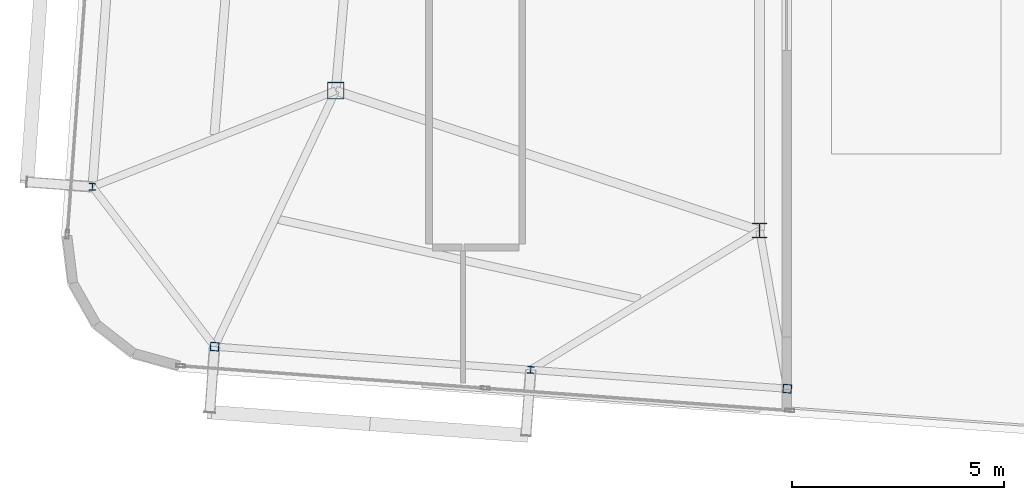
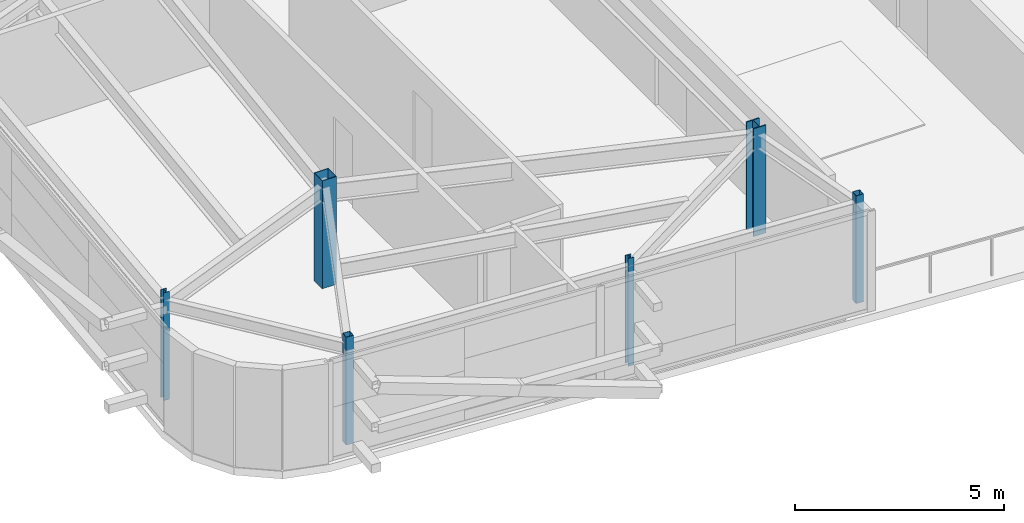
# One storey, part 1 of 36: 6 columns.
"""IFC4 building model written with IfcOpenShell, lengths in metres."""

import ifcopenshell
import ifcopenshell.guid

model = None  # the IFC model being written
_history = None  # IfcOwnerHistory: only IFC2X3 demands one
_inside = {}  # id of a spatial element -> (the spatial element, [elements in it])
_under = {}  # id of a project, library or spatial element -> (it, [spatial elements below it])
_declared = {}  # id of a project -> (the project, [libraries it declares])
_typed = {}  # id of a type object -> (the type object, [elements of that type])
_made_of = {}  # id of a material, layer set ... -> (it, [elements and type objects made of it])


def new_model(schema):
    """Start an empty IFC model of exactly this schema.

    Asked for "IFC4X3", IfcOpenShell would pick the latest addendum, in which some entities
    have other attributes; the version numbers below select the first issue.
    IFC2X3 requires an IfcOwnerHistory on every rooted entity: one is made here for all.
    """
    global model, _history
    if schema == "IFC4X3":
        model = ifcopenshell.file(schema_version=(4, 3, 0, 0))
    else:
        model = ifcopenshell.file(schema=schema)
    _inside.clear()
    _under.clear()
    _declared.clear()
    _typed.clear()
    _made_of.clear()
    _history = None
    if model.schema == "IFC2X3":
        org = make("IfcOrganization", Name="unknown")
        user = make(
            "IfcPersonAndOrganization",
            ThePerson=make("IfcPerson", FamilyName="unknown"),
            TheOrganization=org,
        )
        app = make(
            "IfcApplication",
            ApplicationDeveloper=org,
            Version="unknown",
            ApplicationFullName="unknown",
            ApplicationIdentifier="unknown",
        )
        _history = make(
            "IfcOwnerHistory",
            OwningUser=user,
            OwningApplication=app,
            ChangeAction="ADDED",
            CreationDate=0,
        )
    return model


def make(cls, **values):
    """One entity of the class cls with the attributes given. An attribute that is None is left unset."""
    return model.create_entity(
        cls, **{name: value for name, value in values.items() if value is not None}
    )


def rooted(cls, **values):
    """An entity with a GlobalId (a new one), such as an element, a storey or a relation."""
    return make(cls, GlobalId=ifcopenshell.guid.new(), OwnerHistory=_history, **values)


def si_unit(unit_type, name, prefix=None):
    """IfcSIUnit, for example si_unit("LENGTHUNIT", "METRE", prefix="MILLI")."""
    return make("IfcSIUnit", UnitType=unit_type, Prefix=prefix, Name=name)


def assignment(units):
    """IfcUnitAssignment: the units of a project."""
    return None if units is None else make("IfcUnitAssignment", Units=units)


def point(xyz):
    """IfcCartesianPoint."""
    return None if xyz is None else make("IfcCartesianPoint", Coordinates=xyz)


def direction(xyz):
    """IfcDirection."""
    return None if xyz is None else make("IfcDirection", DirectionRatios=xyz)


def frame(location, z_axis=None, x_axis=None):
    """IfcAxis2Placement3D, a coordinate frame: its origin and axes. An axis left out is left unset."""
    return make(
        "IfcAxis2Placement3D",
        Location=point(location),
        Axis=direction(z_axis),
        RefDirection=direction(x_axis),
    )


def frame_2d(location, x_axis=None):
    """IfcAxis2Placement2D, a coordinate frame in the plane: its origin and x axis."""
    return make(
        "IfcAxis2Placement2D", Location=point(location), RefDirection=direction(x_axis)
    )


def origin():
    """The frame at (0, 0, 0) with its axes left unset."""
    return frame((0.0, 0.0, 0.0))


def origin_2d():
    """The frame at (0, 0) in the plane with its x axis left unset."""
    return frame_2d((0.0, 0.0))


def place(relative_to, where):
    """IfcLocalPlacement: puts the frame where relative to a parent placement (None: the world)."""
    return make(
        "IfcLocalPlacement", PlacementRelTo=relative_to, RelativePlacement=where
    )


def context(
    kind, dimensions, precision=None, world=None, true_north=None, identifier=None
):
    """IfcGeometricRepresentationContext, for example the 3D "Model" context."""
    return make(
        "IfcGeometricRepresentationContext",
        ContextIdentifier=identifier,
        ContextType=kind,
        CoordinateSpaceDimension=dimensions,
        Precision=precision,
        WorldCoordinateSystem=world,
        TrueNorth=true_north,
    )


def subcontext(parent, identifier, kind, view, scale=None):
    """IfcGeometricRepresentationSubContext, for example "Body" below "Model"."""
    return make(
        "IfcGeometricRepresentationSubContext",
        ContextIdentifier=identifier,
        ContextType=kind,
        ParentContext=parent,
        TargetScale=scale,
        TargetView=view,
    )


def project(units=None, contexts=None):
    """IfcProject with its units and contexts."""
    return rooted(
        "IfcProject",
        Name="project",
        RepresentationContexts=contexts,
        UnitsInContext=assignment(units),
    )


def spatial(cls, under=None, at=None, **own):
    """A site, building, storey or space (cls), placed at a placement, below another one or the project."""
    s = rooted(cls, ObjectPlacement=at, **own)
    if under is not None:
        _under.setdefault(under.id(), (under, []))[1].append(s)
    return s


def profile(cls, at=None, kind="AREA", **sizes):
    """A parametric profile (cls). Its sizes go by their IFC names, for example OverallWidth=200.0."""
    return make(cls, ProfileType=kind, Position=at, **sizes)


def hollow_rectangle(**sizes):
    """IfcRectangleHollowProfileDef."""
    return profile("IfcRectangleHollowProfileDef", **sizes)


def i_section(**sizes):
    """IfcIShapeProfileDef."""
    return profile("IfcIShapeProfileDef", **sizes)


def extrude(swept, where, along, depth):
    """IfcExtrudedAreaSolid: the profile swept, set in the frame where, extruded along a direction by depth."""
    return make(
        "IfcExtrudedAreaSolid",
        SweptArea=swept,
        Position=where,
        ExtrudedDirection=direction(along),
        Depth=depth,
    )


def shape(context_of_items, identifier, shape_type, items):
    """IfcShapeRepresentation: the items that make up one representation, for example the "Body"."""
    return make(
        "IfcShapeRepresentation",
        ContextOfItems=context_of_items,
        RepresentationIdentifier=identifier,
        RepresentationType=shape_type,
        Items=items,
    )


def source(mapping_origin, context_of_items, identifier, shape_type, items):
    """IfcRepresentationMap: a shape defined once, which mapped items show again and again."""
    return make(
        "IfcRepresentationMap",
        MappingOrigin=mapping_origin,
        MappedRepresentation=shape(context_of_items, identifier, shape_type, items),
    )


def transform(
    local_origin,
    x_axis=None,
    y_axis=None,
    z_axis=None,
    scale=None,
    scale2=None,
    scale3=None,
    uniform=True,
):
    """IfcCartesianTransformationOperator3D, or its non-uniform kind. x_axis, y_axis, z_axis: its Axis1, 2, 3."""
    if uniform:
        return make(
            "IfcCartesianTransformationOperator3D",
            Axis1=direction(x_axis),
            Axis2=direction(y_axis),
            LocalOrigin=point(local_origin),
            Scale=scale,
            Axis3=direction(z_axis),
        )
    return make(
        "IfcCartesianTransformationOperator3DnonUniform",
        Axis1=direction(x_axis),
        Axis2=direction(y_axis),
        LocalOrigin=point(local_origin),
        Scale=scale,
        Axis3=direction(z_axis),
        Scale2=scale2,
        Scale3=scale3,
    )


def mapped(mapping_source, mapping_target):
    """IfcMappedItem: shows the shape of a source again, moved by a transform."""
    return make(
        "IfcMappedItem", MappingSource=mapping_source, MappingTarget=mapping_target
    )


def material(Name=None, Category=None):
    """IfcMaterial."""
    return make("IfcMaterial", Name=Name, Category=Category)


def material_profile(
    of_material, cross_section, Name=None, Category=None, Priority=None
):
    """IfcMaterialProfile: a cross section and its material."""
    return make(
        "IfcMaterialProfile",
        Name=Name,
        Material=of_material,
        Profile=cross_section,
        Priority=Priority,
        Category=Category,
    )


def profile_set(profiles, Name=None, composite=None):
    """IfcMaterialProfileSet."""
    return make(
        "IfcMaterialProfileSet",
        Name=Name,
        MaterialProfiles=profiles,
        CompositeProfile=composite,
    )


def made_of(thing, what):
    """Note that an element or type object is made of a material, layer set ...; save() writes the relation."""
    if what is not None:
        _made_of.setdefault(what.id(), (what, []))[1].append(thing)
    return thing


def type_object(cls, material=None, **own):
    """A type object (cls), such as IfcWallType, which elements share."""
    return made_of(rooted(cls, **own), material)


def element(
    cls,
    number,
    at=None,
    inside=None,
    cuts=None,
    type_object=None,
    material=None,
    context=None,
    identifier="Body",
    shape_type=None,
    held_by="IfcProductDefinitionShape",
    body=None,
    shapes=None,
    **own,
):
    """One element of the class cls, such as IfcWall. Its Tag is "e" and its number.

    at: its placement. inside: the storey or other place that contains it. cuts: it is an
    opening in that element (IfcRelVoidsElement). A single representation is given by context,
    identifier, shape_type and body (its items); several are given by shapes. held_by: the class
    of the entity that holds the representations. save() writes the other relations.
    """
    e = rooted(cls, Tag="e%d" % number, ObjectPlacement=at, **own)
    if body is not None:
        shapes = [shape(context, identifier, shape_type, body)]
    if shapes is not None:
        e.Representation = make(held_by, Representations=shapes)
    if inside is not None:
        _inside.setdefault(inside.id(), (inside, []))[1].append(e)
    if cuts is not None:
        rooted(
            "IfcRelVoidsElement", RelatingBuildingElement=cuts, RelatedOpeningElement=e
        )
    if type_object is not None:
        _typed.setdefault(type_object.id(), (type_object, []))[1].append(e)
    return made_of(e, material)


def aggregate(whole, parts):
    """IfcRelAggregates: a whole, such as a stair, and the parts it consists of."""
    return rooted("IfcRelAggregates", RelatingObject=whole, RelatedObjects=parts)


def save(model, path):
    """Write the relations noted so far, then the file.

    IfcRelAggregates (storeys below a building ...), IfcRelContainedInSpatialStructure (elements
    in a storey), IfcRelDefinesByType, IfcRelAssociatesMaterial and IfcRelDeclares: one each for
    every whole, place, type object, material and project.
    """
    for whole, parts in _under.values():
        aggregate(whole, parts)
    for where, things in _inside.values():
        rooted(
            "IfcRelContainedInSpatialStructure",
            RelatedElements=things,
            RelatingStructure=where,
        )
    for kind, things in _typed.values():
        rooted("IfcRelDefinesByType", RelatedObjects=things, RelatingType=kind)
    for what, things in _made_of.values():
        rooted("IfcRelAssociatesMaterial", RelatedObjects=things, RelatingMaterial=what)
    for by, libraries in _declared.values():
        rooted("IfcRelDeclares", RelatingContext=by, RelatedDefinitions=libraries)
    model.write(path)


model = new_model("IFC4")

# Units and contexts
model_context = context("Model", 3, precision=1e-05, world=origin(), true_north=direction((0.0, 1.0)))
body_context = subcontext(model_context, "Body", "Model", "MODEL_VIEW")
ifc_project = project(units=[si_unit("LENGTHUNIT", "METRE"), si_unit("AREAUNIT", "SQUARE_METRE"), si_unit("VOLUMEUNIT", "CUBIC_METRE"), si_unit("PLANEANGLEUNIT", "RADIAN"), si_unit("MASSUNIT", "GRAM", prefix="KILO")], contexts=[model_context])

# Site, building, storey
site_placement = place(None, origin())
site = spatial("IfcSite", under=ifc_project, at=site_placement, CompositionType="ELEMENT")
building_placement = place(site_placement, origin())
building = spatial("IfcBuilding", under=site, at=building_placement, Name="Taldren Reach Tower", CompositionType="ELEMENT")
storey_placement = place(building_placement, frame((0.0, 0.0, 227.14990234375)))
storey = spatial("IfcBuildingStorey", under=building, at=storey_placement, Name="L69", CompositionType="ELEMENT", Elevation=227.14990234375)

# Columns
ifc_material_1 = material(Name="Steel Gr 350 (350PLUS)", Category="steel")
ifc_material_profile_1 = material_profile(ifc_material_1, i_section(OverallWidth=0.35009765625, OverallDepth=0.35595703125, WebThickness=0.01806640625, FlangeThickness=0.028076171875, at=origin_2d()), Name="350WC197")
ifc_profile_set_1 = profile_set([ifc_material_profile_1], Name="Steel Gr 350 (350PLUS)")
column_type_1 = type_object("IfcColumnType", Name="COL-WC350", PredefinedType="COLUMN", material=ifc_profile_set_1)
shared_shape_1 = source(origin(), body_context, "Body", "SweptSolid", [
    extrude(i_section(OverallWidth=0.35009765625, OverallDepth=0.35595703125, WebThickness=0.01806640625, FlangeThickness=0.028076171875, at=origin_2d()), origin(), (0.0, 0.0, 1.0), 3.150146484375),
])
column_1_placement = place(storey_placement, frame((28.0, 9.199951171875, 0.0), z_axis=(0.0, 0.0, 1.0), x_axis=(1.0, 0.0, 0.0)))
element("IfcColumn", 1, at=column_1_placement, inside=storey, type_object=column_type_1, Name="Mega column MC-PJW L69", PredefinedType="COLUMN", context=body_context, shape_type="MappedRepresentation", body=[
    mapped(shared_shape_1, transform((0.0, 0.0, 0.0), scale=1.0)),
])
ifc_material_2 = material(Name="Steel Gr 450 (C450L0)", Category="steel")
ifc_material_profile_2 = material_profile(ifc_material_2, hollow_rectangle(XDim=0.39990234375, YDim=0.39990234375, WallThickness=0.01611328125, at=origin_2d()), Name="400x400x16.0SHS")
ifc_profile_set_2 = profile_set([ifc_material_profile_2], Name="Steel Gr 450 (C450L0)")
column_type_2 = type_object("IfcColumnType", Name="COL-SHS400", PredefinedType="COLUMN", material=ifc_profile_set_2)
shared_shape_2 = source(origin(), body_context, "Body", "SweptSolid", [
    extrude(hollow_rectangle(XDim=0.39990234375, YDim=0.39990234375, WallThickness=0.01611328125, at=origin_2d()), origin(), (0.0, 0.0, 1.0), 3.150146484375),
])
column_2_placement = place(storey_placement, frame((18.0, 12.5, 0.0), z_axis=(0.0, 0.0, 1.0), x_axis=(1.0, 0.0, 0.0)))
element("IfcColumn", 2, at=column_2_placement, inside=storey, type_object=column_type_2, Name="Mega column MC-SW L69", PredefinedType="COLUMN", context=body_context, shape_type="MappedRepresentation", body=[
    mapped(shared_shape_2, transform((0.0, 0.0, 0.0), scale=1.0)),
])
ifc_material_3 = material(Name="Steel Gr 350 (C350L0)", Category="steel")
ifc_material_profile_3 = material_profile(ifc_material_3, hollow_rectangle(XDim=0.199951171875, YDim=0.199951171875, WallThickness=0.009033203125, at=origin_2d()), Name="200x200x9.0SHS")
ifc_profile_set_3 = profile_set([ifc_material_profile_3], Name="Steel Gr 350 (C350L0)")
column_type_3 = type_object("IfcColumnType", Name="COL-SHS200", PredefinedType="COLUMN", material=ifc_profile_set_3)
shared_shape_3 = source(origin(), body_context, "Body", "SweptSolid", [
    extrude(hollow_rectangle(XDim=0.199951171875, YDim=0.199951171875, WallThickness=0.009033203125, at=origin_2d()), origin(), (0.0, 0.0, 1.0), 3.150146484375),
])
for number, where, z_axis, x_axis, name in (
    (3, (15.140625, 6.460205078125, 0.0), (0.0, 0.0, 1.0), (0.997314477224, -0.073238197128, 0.0), "Block B5 perimeter column S1 L69"),
    (4, (28.654296875, 5.4677734375, 0.0), (0.0, 0.0, 1.0), (0.997314477224, -0.073238197128, 0.0), "Block B5 perimeter column PJ1 L69"),
):
    element("IfcColumn", number, at=place(storey_placement, frame(where, z_axis=z_axis, x_axis=x_axis)), inside=storey, type_object=column_type_3, Name=name, PredefinedType="COLUMN", context=body_context, shape_type="MappedRepresentation", body=[
        mapped(shared_shape_3, transform((0.0, 0.0, 0.0), scale=1.0)),
    ])
ifc_material_profile_4 = material_profile(ifc_material_1, i_section(OverallWidth=0.154052734375, OverallDepth=0.162109375, WebThickness=0.008056640625, FlangeThickness=0.011474609375, at=origin_2d()), Name="150UC37.2")
ifc_profile_set_4 = profile_set([ifc_material_profile_4], Name="Steel Gr 350 (350PLUS)")
column_type_4 = type_object("IfcColumnType", Name="COL-UC150", PredefinedType="COLUMN", material=ifc_profile_set_4)
shared_shape_4 = source(origin(), body_context, "Body", "SweptSolid", [
    extrude(i_section(OverallWidth=0.154052734375, OverallDepth=0.162109375, WebThickness=0.008056640625, FlangeThickness=0.011474609375, at=origin_2d()), origin(), (0.0, 0.0, 1.0), 3.150146484375),
])
for number, where, z_axis, x_axis, name in (
    (5, (22.6005859375, 5.912353515625, 0.0), (0.0, 0.0, 1.0), (0.997314477224, -0.073238197128, 0.0), "Block B5 perimeter column S2 L69"),
    (6, (12.259033203125, 10.2314453125, 0.0), (0.0, 0.0, 1.0), (0.997314477224, -0.073238197128, 0.0), "Block B5 perimeter column W1 L69"),
):
    element("IfcColumn", number, at=place(storey_placement, frame(where, z_axis=z_axis, x_axis=x_axis)), inside=storey, type_object=column_type_4, Name=name, PredefinedType="COLUMN", context=body_context, shape_type="MappedRepresentation", body=[
        mapped(shared_shape_4, transform((0.0, 0.0, 0.0), scale=1.0)),
    ])

save(model, "model.ifc")
